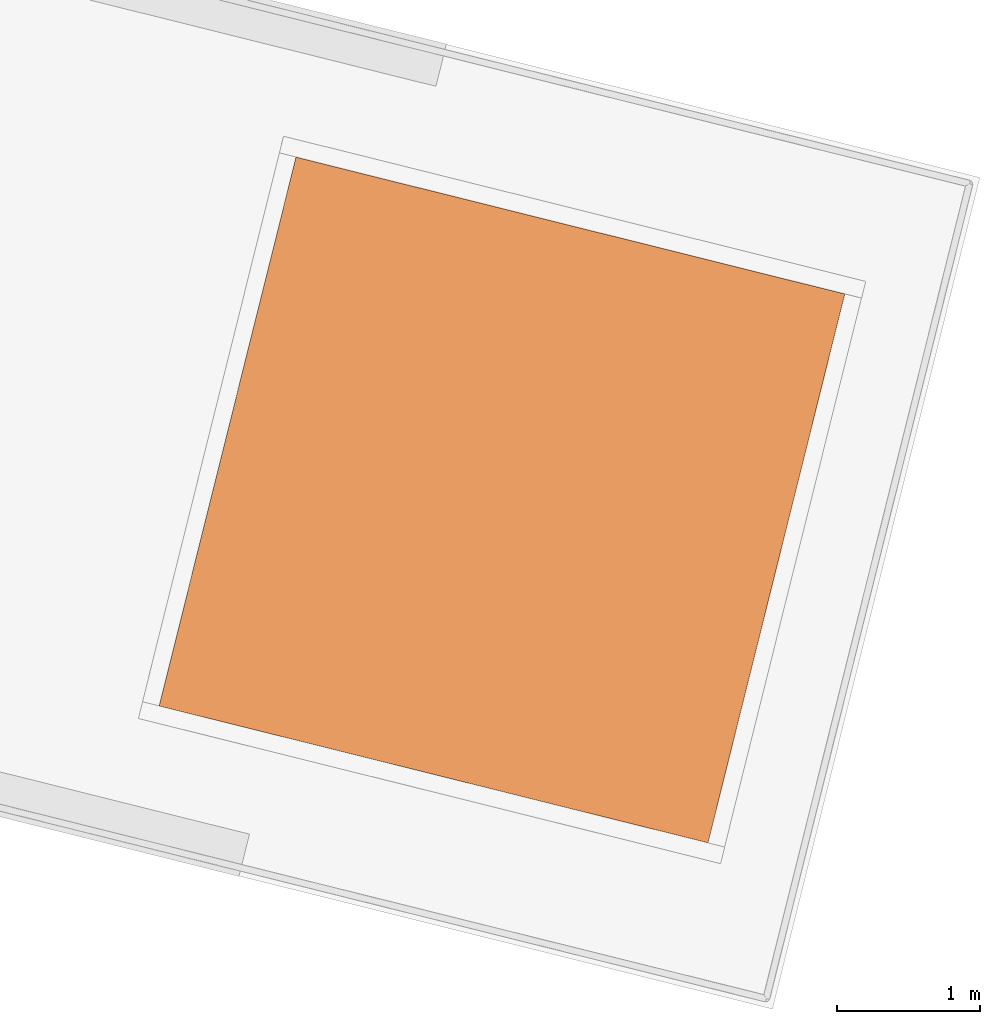
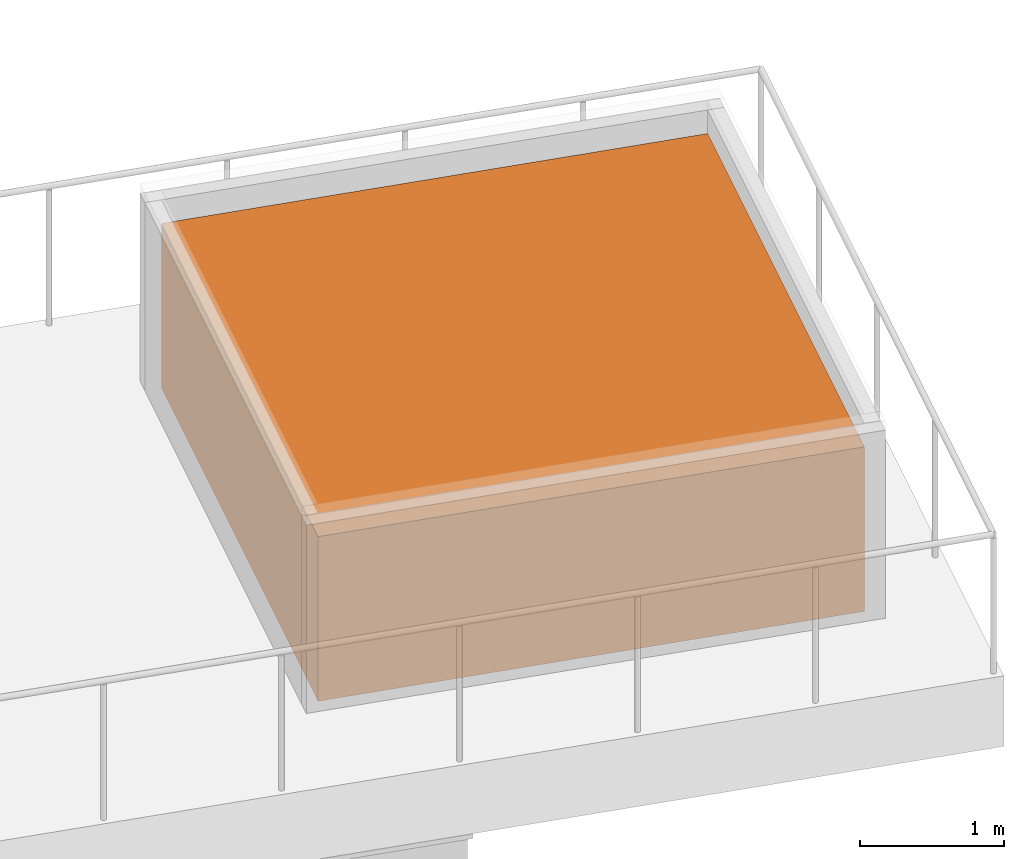
# One storey, part 13 of 13: 1 proxy.
"""IFC4 building model written with IfcOpenShell, lengths in metres."""

import ifcopenshell
import ifcopenshell.guid

model = None  # the IFC model being written
_history = None  # IfcOwnerHistory: only IFC2X3 demands one
_inside = {}  # id of a spatial element -> (the spatial element, [elements in it])
_under = {}  # id of a project, library or spatial element -> (it, [spatial elements below it])
_declared = {}  # id of a project -> (the project, [libraries it declares])
_typed = {}  # id of a type object -> (the type object, [elements of that type])
_made_of = {}  # id of a material, layer set ... -> (it, [elements and type objects made of it])


def new_model(schema):
    """Start an empty IFC model of exactly this schema.

    Asked for "IFC4X3", IfcOpenShell would pick the latest addendum, in which some entities
    have other attributes; the version numbers below select the first issue.
    IFC2X3 requires an IfcOwnerHistory on every rooted entity: one is made here for all.
    """
    global model, _history
    if schema == "IFC4X3":
        model = ifcopenshell.file(schema_version=(4, 3, 0, 0))
    else:
        model = ifcopenshell.file(schema=schema)
    _inside.clear()
    _under.clear()
    _declared.clear()
    _typed.clear()
    _made_of.clear()
    _history = None
    if model.schema == "IFC2X3":
        org = make("IfcOrganization", Name="unknown")
        user = make(
            "IfcPersonAndOrganization",
            ThePerson=make("IfcPerson", FamilyName="unknown"),
            TheOrganization=org,
        )
        app = make(
            "IfcApplication",
            ApplicationDeveloper=org,
            Version="unknown",
            ApplicationFullName="unknown",
            ApplicationIdentifier="unknown",
        )
        _history = make(
            "IfcOwnerHistory",
            OwningUser=user,
            OwningApplication=app,
            ChangeAction="ADDED",
            CreationDate=0,
        )
    return model


def make(cls, **values):
    """One entity of the class cls with the attributes given. An attribute that is None is left unset."""
    return model.create_entity(
        cls, **{name: value for name, value in values.items() if value is not None}
    )


def rooted(cls, **values):
    """An entity with a GlobalId (a new one), such as an element, a storey or a relation."""
    return make(cls, GlobalId=ifcopenshell.guid.new(), OwnerHistory=_history, **values)


def si_unit(unit_type, name, prefix=None):
    """IfcSIUnit, for example si_unit("LENGTHUNIT", "METRE", prefix="MILLI")."""
    return make("IfcSIUnit", UnitType=unit_type, Prefix=prefix, Name=name)


def assignment(units):
    """IfcUnitAssignment: the units of a project."""
    return None if units is None else make("IfcUnitAssignment", Units=units)


def point(xyz):
    """IfcCartesianPoint."""
    return None if xyz is None else make("IfcCartesianPoint", Coordinates=xyz)


def direction(xyz):
    """IfcDirection."""
    return None if xyz is None else make("IfcDirection", DirectionRatios=xyz)


def frame(location, z_axis=None, x_axis=None):
    """IfcAxis2Placement3D, a coordinate frame: its origin and axes. An axis left out is left unset."""
    return make(
        "IfcAxis2Placement3D",
        Location=point(location),
        Axis=direction(z_axis),
        RefDirection=direction(x_axis),
    )


def origin():
    """The frame at (0, 0, 0) with its axes left unset."""
    return frame((0.0, 0.0, 0.0))


def place(relative_to, where):
    """IfcLocalPlacement: puts the frame where relative to a parent placement (None: the world)."""
    return make(
        "IfcLocalPlacement", PlacementRelTo=relative_to, RelativePlacement=where
    )


def context(
    kind, dimensions, precision=None, world=None, true_north=None, identifier=None
):
    """IfcGeometricRepresentationContext, for example the 3D "Model" context."""
    return make(
        "IfcGeometricRepresentationContext",
        ContextIdentifier=identifier,
        ContextType=kind,
        CoordinateSpaceDimension=dimensions,
        Precision=precision,
        WorldCoordinateSystem=world,
        TrueNorth=true_north,
    )


def subcontext(parent, identifier, kind, view, scale=None):
    """IfcGeometricRepresentationSubContext, for example "Body" below "Model"."""
    return make(
        "IfcGeometricRepresentationSubContext",
        ContextIdentifier=identifier,
        ContextType=kind,
        ParentContext=parent,
        TargetScale=scale,
        TargetView=view,
    )


def project(units=None, contexts=None):
    """IfcProject with its units and contexts."""
    return rooted(
        "IfcProject",
        Name="project",
        RepresentationContexts=contexts,
        UnitsInContext=assignment(units),
    )


def spatial(cls, under=None, at=None, **own):
    """A site, building, storey or space (cls), placed at a placement, below another one or the project."""
    s = rooted(cls, ObjectPlacement=at, **own)
    if under is not None:
        _under.setdefault(under.id(), (under, []))[1].append(s)
    return s


def polyline(points):
    """IfcPolyline through the points."""
    return make("IfcPolyline", Points=[point(p) for p in points])


def outline(outer, holes=None, kind="AREA"):
    """IfcArbitraryClosedProfileDef: a profile drawn as a closed curve; with holes, ...WithVoids."""
    if holes is None:
        return make("IfcArbitraryClosedProfileDef", ProfileType=kind, OuterCurve=outer)
    return make(
        "IfcArbitraryProfileDefWithVoids",
        ProfileType=kind,
        OuterCurve=outer,
        InnerCurves=holes,
    )


def extrude(swept, where, along, depth):
    """IfcExtrudedAreaSolid: the profile swept, set in the frame where, extruded along a direction by depth."""
    return make(
        "IfcExtrudedAreaSolid",
        SweptArea=swept,
        Position=where,
        ExtrudedDirection=direction(along),
        Depth=depth,
    )


def shape(context_of_items, identifier, shape_type, items):
    """IfcShapeRepresentation: the items that make up one representation, for example the "Body"."""
    return make(
        "IfcShapeRepresentation",
        ContextOfItems=context_of_items,
        RepresentationIdentifier=identifier,
        RepresentationType=shape_type,
        Items=items,
    )


def material(Name=None, Category=None):
    """IfcMaterial."""
    return make("IfcMaterial", Name=Name, Category=Category)


def layer(
    of_material, thickness, ventilated=None, Name=None, Category=None, Priority=None
):
    """IfcMaterialLayer: one layer of a wall or slab, of a material (None: an air gap)."""
    return make(
        "IfcMaterialLayer",
        Material=of_material,
        LayerThickness=thickness,
        IsVentilated=ventilated,
        Name=Name,
        Category=Category,
        Priority=Priority,
    )


def layer_set(layers, Name=None):
    """IfcMaterialLayerSet."""
    return make("IfcMaterialLayerSet", MaterialLayers=layers, LayerSetName=Name)


def made_of(thing, what):
    """Note that an element or type object is made of a material, layer set ...; save() writes the relation."""
    if what is not None:
        _made_of.setdefault(what.id(), (what, []))[1].append(thing)
    return thing


def type_object(cls, material=None, **own):
    """A type object (cls), such as IfcWallType, which elements share."""
    return made_of(rooted(cls, **own), material)


def element(
    cls,
    number,
    at=None,
    inside=None,
    cuts=None,
    type_object=None,
    material=None,
    context=None,
    identifier="Body",
    shape_type=None,
    held_by="IfcProductDefinitionShape",
    body=None,
    shapes=None,
    **own,
):
    """One element of the class cls, such as IfcWall. Its Tag is "e" and its number.

    at: its placement. inside: the storey or other place that contains it. cuts: it is an
    opening in that element (IfcRelVoidsElement). A single representation is given by context,
    identifier, shape_type and body (its items); several are given by shapes. held_by: the class
    of the entity that holds the representations. save() writes the other relations.
    """
    e = rooted(cls, Tag="e%d" % number, ObjectPlacement=at, **own)
    if body is not None:
        shapes = [shape(context, identifier, shape_type, body)]
    if shapes is not None:
        e.Representation = make(held_by, Representations=shapes)
    if inside is not None:
        _inside.setdefault(inside.id(), (inside, []))[1].append(e)
    if cuts is not None:
        rooted(
            "IfcRelVoidsElement", RelatingBuildingElement=cuts, RelatedOpeningElement=e
        )
    if type_object is not None:
        _typed.setdefault(type_object.id(), (type_object, []))[1].append(e)
    return made_of(e, material)


def aggregate(whole, parts):
    """IfcRelAggregates: a whole, such as a stair, and the parts it consists of."""
    return rooted("IfcRelAggregates", RelatingObject=whole, RelatedObjects=parts)


def save(model, path):
    """Write the relations noted so far, then the file.

    IfcRelAggregates (storeys below a building ...), IfcRelContainedInSpatialStructure (elements
    in a storey), IfcRelDefinesByType, IfcRelAssociatesMaterial and IfcRelDeclares: one each for
    every whole, place, type object, material and project.
    """
    for whole, parts in _under.values():
        aggregate(whole, parts)
    for where, things in _inside.values():
        rooted(
            "IfcRelContainedInSpatialStructure",
            RelatedElements=things,
            RelatingStructure=where,
        )
    for kind, things in _typed.values():
        rooted("IfcRelDefinesByType", RelatedObjects=things, RelatingType=kind)
    for what, things in _made_of.values():
        rooted("IfcRelAssociatesMaterial", RelatedObjects=things, RelatingMaterial=what)
    for by, libraries in _declared.values():
        rooted("IfcRelDeclares", RelatingContext=by, RelatedDefinitions=libraries)
    model.write(path)


model = new_model("IFC4")

# Units and contexts
model_context = context("Model", 3, precision=1e-05, world=origin(), true_north=direction((0.0, 1.0)))
body_context = subcontext(model_context, "Body", "Model", "MODEL_VIEW")
ifc_project = project(units=[si_unit("LENGTHUNIT", "METRE"), si_unit("AREAUNIT", "SQUARE_METRE"), si_unit("VOLUMEUNIT", "CUBIC_METRE"), si_unit("PLANEANGLEUNIT", "RADIAN"), si_unit("MASSUNIT", "GRAM", prefix="KILO")], contexts=[model_context])

# Site, building, storey
site_placement = place(None, origin())
site = spatial("IfcSite", under=ifc_project, at=site_placement, CompositionType="ELEMENT")
building_placement = place(site_placement, origin())
building = spatial("IfcBuilding", under=site, at=building_placement, Name="Meshkara Civic Tower", CompositionType="ELEMENT")
storey_placement = place(building_placement, frame((0.0, 0.0, 383.39990234375)))
storey = spatial("IfcBuildingStorey", under=building, at=storey_placement, Name="L88", CompositionType="ELEMENT", Elevation=383.39990234375)

# Proxy
ifc_material = material(Name="Pool water")
ifc_layer = layer(ifc_material, 1.39990234375)
ifc_layer_set = layer_set([ifc_layer], Name="SKY POOL WATER")
building_element_proxy_type = type_object("IfcBuildingElementProxyType", Name="SKY POOL WATER", PredefinedType="USERDEFINED", material=ifc_layer_set)
proxy_placement = place(storey_placement, origin())
element("IfcBuildingElementProxy", 1, at=proxy_placement, inside=storey, type_object=building_element_proxy_type, Name="Sky pool water", ObjectType="POOL WATER", PredefinedType="USERDEFINED", context=body_context, shape_type="SweptSolid", body=[
    extrude(outline(polyline([(64.114990234375, -5.498046875), (65.072998046875, -1.656005859375), (68.9150390625, -2.614013671875), (67.95703125, -6.4560546875), (64.114990234375, -5.498046875)])), origin(), (0.0, 0.0, 1.0), 1.400146484375),
])

save(model, "model.ifc")
